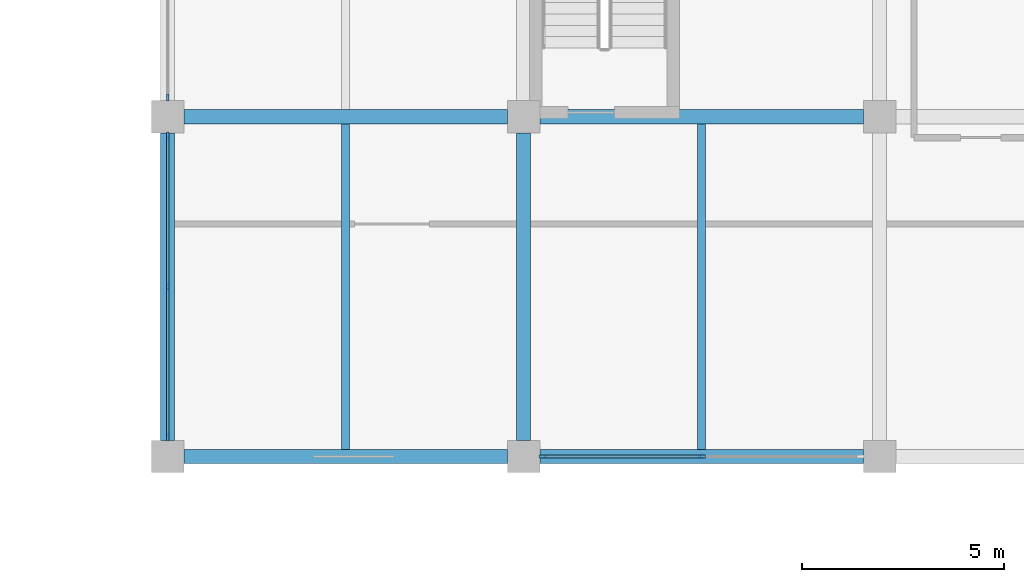
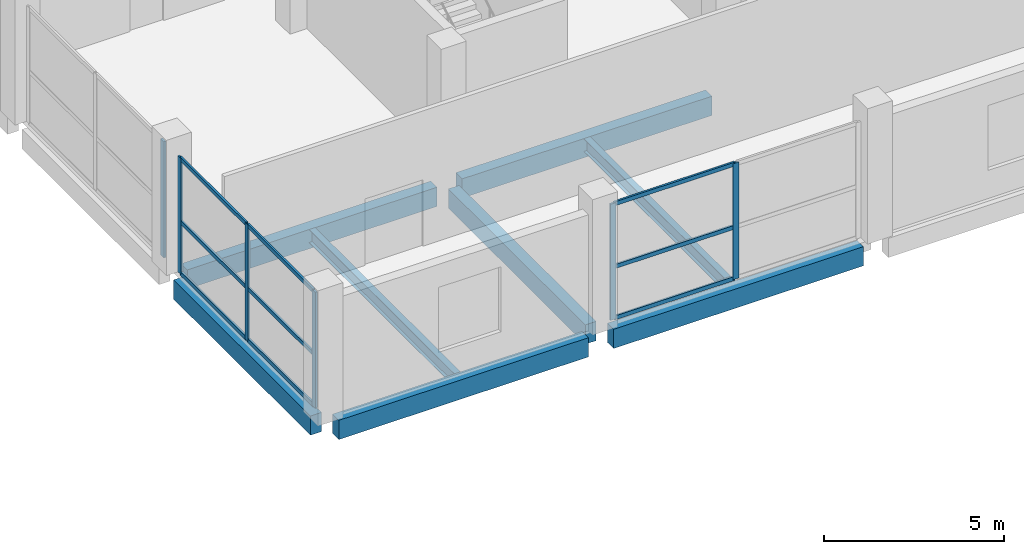
# One storey, part 5 of 31: 15 members, 8 beams, 3 elements without a shape of their own.
"""IFC4 building model written with IfcOpenShell, lengths in metres."""

from ifc_helpers import new_model, si_unit, direction, frame, origin, origin_2d, place, context, subcontext, project, spatial, rectangle, i_section, extrude, material, material_profile, profile_set, type_object, element, aggregate, save


model = new_model("IFC4")

# Units and contexts
model_context = context("Model", 3, precision=1e-05, world=origin(), true_north=direction((0.0, 1.0)))
body_context = subcontext(model_context, "Body", "Model", "MODEL_VIEW")
ifc_project = project(units=[si_unit("LENGTHUNIT", "METRE"), si_unit("AREAUNIT", "SQUARE_METRE"), si_unit("VOLUMEUNIT", "CUBIC_METRE"), si_unit("PLANEANGLEUNIT", "RADIAN"), si_unit("MASSUNIT", "GRAM", prefix="KILO")], contexts=[model_context])

# Site, building, storey
site_placement = place(None, origin())
site = spatial("IfcSite", under=ifc_project, at=site_placement, CompositionType="ELEMENT")
building_placement = place(site_placement, origin())
building = spatial("IfcBuilding", under=site, at=building_placement, Name="Brinegate Botanical Conservatory", CompositionType="ELEMENT")
storey_placement = place(building_placement, frame((0.0, 0.0, 5.39990234375)))
storey = spatial("IfcBuildingStorey", under=building, at=storey_placement, Name="L02", CompositionType="ELEMENT", Elevation=5.39990234375)

# Beams
ifc_material_1 = material(Name="Concrete C40/50", Category="concrete")
ifc_material_profile_1 = material_profile(ifc_material_1, rectangle(XDim=0.35009765625, YDim=0.64990234375, at=origin_2d()), Name="RC BM 350x650")
ifc_profile_set_1 = profile_set([ifc_material_profile_1], Name="Concrete C40/50")
beam_type_1 = type_object("IfcBeamType", Name="Beam_BM-V3", PredefinedType="BEAM", material=ifc_profile_set_1)
for number, where, z_axis, x_axis, name in (
    (1, (51.199951171875, 86.800048828125, -0.544921875), (1.0, 0.0, 0.0), (0.0, 1.0, 0.0), "Beam BM-V3 L02 L:7-8"),
    (2, (60.0, 86.800048828125, -0.544921875), (1.0, 0.0, 0.0), (0.0, 1.0, 0.0), "Beam BM-V3 L02 L:8-9"),
    (3, (51.199951171875, 95.199951171875, -0.544921875), (1.0, 0.0, 0.0), (0.0, 1.0, 0.0), "Beam BM-V3 L02 M:7-8"),
    (4, (60.0, 95.199951171875, -0.544921875), (1.0, 0.0, 0.0), (0.0, 1.0, 0.0), "Beam BM-V3 L02 M:8-9"),
):
    element("IfcBeam", number, at=place(storey_placement, frame(where, z_axis=z_axis, x_axis=x_axis)), inside=storey, type_object=beam_type_1, Name=name, PredefinedType="BEAM", context=body_context, shape_type="SweptSolid", body=[
        extrude(rectangle(XDim=0.35009765625, YDim=0.64990234375, at=origin_2d()), origin(), (0.0, 0.0, 1.0), 8.0),
    ])
for number, where, z_axis, x_axis, name in (
    (5, (50.800048828125, 87.199951171875, -0.544921875), (0.0, 1.0, 0.0), (-1.0, 0.0, 0.0), "Beam BM-V3 L02 7:L-M"),
    (6, (59.60009765625, 87.199951171875, -0.544921875), (0.0, 1.0, 0.0), (-1.0, 0.0, 0.0), "Beam BM-V3 L02 8:L-M"),
):
    element("IfcBeam", number, at=place(storey_placement, frame(where, z_axis=z_axis, x_axis=x_axis)), inside=storey, type_object=beam_type_1, Name=name, PredefinedType="BEAM", context=body_context, shape_type="SweptSolid", body=[
        extrude(rectangle(XDim=0.35009765625, YDim=0.64990234375, at=origin_2d()), origin(), (0.0, 0.0, 1.0), 7.60009765625),
    ])
ifc_material_2 = material(Name="Structural steel Q355B / S355", Category="steel")
ifc_material_profile_2 = material_profile(ifc_material_2, i_section(OverallWidth=0.199951171875, OverallDepth=0.449951171875, WebThickness=0.009033203125, FlangeThickness=0.013916015625, at=origin_2d()), Name="HN 450x200x9x14")
ifc_profile_set_2 = profile_set([ifc_material_profile_2], Name="Structural steel Q355B / S355")
beam_type_2 = type_object("IfcBeamType", Name="Beam_JS-S1", PredefinedType="JOIST", material=ifc_profile_set_2)
for number, where, z_axis, x_axis, name in (
    (7, (55.199951171875, 86.97509765625, -0.44482421875), (0.0, 1.0, 0.0), (-1.0, 0.0, 0.0), "Floor joist JS-S1 L02 bay 7.11"),
    (8, (64.0, 86.97509765625, -0.44482421875), (0.0, 1.0, 0.0), (-1.0, 0.0, 0.0), "Floor joist JS-S1 L02 bay 8.11"),
):
    element("IfcBeam", number, at=place(storey_placement, frame(where, z_axis=z_axis, x_axis=x_axis)), inside=storey, type_object=beam_type_2, Name=name, PredefinedType="JOIST", context=body_context, shape_type="SweptSolid", body=[
        extrude(i_section(OverallWidth=0.199951171875, OverallDepth=0.449951171875, WebThickness=0.009033203125, FlangeThickness=0.013916015625, at=origin_2d()), origin(), (0.0, 0.0, 1.0), 8.0498046875),
    ])

# Curtain wall, members
ifc_material_3 = material(Name="Thermally broken anodised aluminium AW-6063-T6", Category="aluminium")
curtain_wall_type = type_object("IfcCurtainWallType", Name="CW_CW-V3", PredefinedType="USERDEFINED", material=ifc_material_3)
curtain_wall_1_placement = place(storey_placement, origin())
curtain_wall_1 = element("IfcCurtainWall", 9, at=curtain_wall_1_placement, inside=storey, type_object=curtain_wall_type, Name="Visitor south court curtain wall L02.2", ObjectType="FACTORY CURTAIN WALL", PredefinedType="USERDEFINED")
ifc_material_profile_3 = material_profile(ifc_material_3, rectangle(XDim=0.06494140625, YDim=0.179931640625, at=origin_2d()), Name="ALUM MULLION 65x180")
ifc_profile_set_3 = profile_set([ifc_material_profile_3], Name="Thermally broken anodised aluminium AW-6063-T6")
member_type_1 = type_object("IfcMemberType", Name="Member_ML-02", PredefinedType="MULLION", material=ifc_profile_set_3)
member_1_placement = place(storey_placement, frame((64.0, 86.800048828125, 0.0), z_axis=(0.0, 0.0, 1.0), x_axis=(0.0, -1.0, 0.0)))
member_1 = element("IfcMember", 10, at=member_1_placement, type_object=member_type_1, Name="CW-V3 mullion 2", PredefinedType="MULLION", context=body_context, shape_type="SweptSolid", body=[
    extrude(rectangle(XDim=0.06494140625, YDim=0.179931640625, at=origin_2d()), origin(), (0.0, 0.0, 1.0), 3.93017578125),
])
member_2_placement = place(storey_placement, frame((60.072509765625, 86.800048828125, 0.0), z_axis=(0.0, 0.0, 1.0), x_axis=(0.0, -1.0, 0.0)))
member_2 = element("IfcMember", 11, at=member_2_placement, type_object=member_type_1, Name="CW-V3 mullion 3", PredefinedType="MULLION", context=body_context, shape_type="SweptSolid", body=[
    extrude(rectangle(XDim=0.06494140625, YDim=0.179931640625, at=origin_2d()), origin(), (0.0, 0.0, 1.0), 3.93017578125),
])

curtain_wall_2_placement = place(storey_placement, origin())
curtain_wall_2 = element("IfcCurtainWall", 12, at=curtain_wall_2_placement, inside=storey, type_object=curtain_wall_type, Name="Visitor west forecourt curtain wall L02.1", ObjectType="FACTORY CURTAIN WALL", PredefinedType="USERDEFINED")
member_3_placement = place(storey_placement, frame((50.800048828125, 87.2724609375, 0.0), z_axis=(0.0, 0.0, 1.0), x_axis=(-1.0, 0.0, 0.0)))
member_3 = element("IfcMember", 13, at=member_3_placement, type_object=member_type_1, Name="CW-V3 mullion 1", PredefinedType="MULLION", context=body_context, shape_type="SweptSolid", body=[
    extrude(rectangle(XDim=0.06494140625, YDim=0.179931640625, at=origin_2d()), origin(), (0.0, 0.0, 1.0), 3.93017578125),
])
member_4_placement = place(storey_placement, frame((50.800048828125, 91.0, 0.0), z_axis=(0.0, 0.0, 1.0), x_axis=(-1.0, 0.0, 0.0)))
member_4 = element("IfcMember", 14, at=member_4_placement, type_object=member_type_1, Name="CW-V3 mullion 2", PredefinedType="MULLION", context=body_context, shape_type="SweptSolid", body=[
    extrude(rectangle(XDim=0.06494140625, YDim=0.179931640625, at=origin_2d()), origin(), (0.0, 0.0, 1.0), 3.93017578125),
])
member_5_placement = place(storey_placement, frame((50.800048828125, 94.7275390625, 0.0), z_axis=(0.0, 0.0, 1.0), x_axis=(-1.0, 0.0, 0.0)))
member_5 = element("IfcMember", 15, at=member_5_placement, type_object=member_type_1, Name="CW-V3 mullion 3", PredefinedType="MULLION", context=body_context, shape_type="SweptSolid", body=[
    extrude(rectangle(XDim=0.06494140625, YDim=0.179931640625, at=origin_2d()), origin(), (0.0, 0.0, 1.0), 3.93017578125),
])

# Curtain wall, member
curtain_wall_3_placement = place(storey_placement, origin())
curtain_wall_3 = element("IfcCurtainWall", 16, at=curtain_wall_3_placement, inside=storey, type_object=curtain_wall_type, Name="Visitor west forecourt curtain wall L02.2", ObjectType="FACTORY CURTAIN WALL", PredefinedType="USERDEFINED")
member_6_placement = place(storey_placement, frame((50.800048828125, 95.672607421875, 0.0), z_axis=(0.0, 0.0, 1.0), x_axis=(-1.0, 0.0, 0.0)))
member_6 = element("IfcMember", 17, at=member_6_placement, type_object=member_type_1, Name="CW-V3 mullion 1", PredefinedType="MULLION", context=body_context, shape_type="SweptSolid", body=[
    extrude(rectangle(XDim=0.06494140625, YDim=0.179931640625, at=origin_2d()), origin(), (0.0, 0.0, 1.0), 3.93017578125),
])
aggregate(curtain_wall_3, [member_6])

# Member
ifc_material_profile_4 = material_profile(ifc_material_3, rectangle(XDim=0.06494140625, YDim=0.135009765625, at=origin_2d()), Name="ALUM TRANSOM 65x135")
ifc_profile_set_4 = profile_set([ifc_material_profile_4], Name="Thermally broken anodised aluminium AW-6063-T6")
member_type_2 = type_object("IfcMemberType", Name="Member_TR-02", PredefinedType="USERDEFINED", material=ifc_profile_set_4)
member_7_placement = place(storey_placement, frame((63.967529296875, 86.800048828125, 0.03271484375), z_axis=(-1.0, 0.0, 0.0), x_axis=(0.0, -1.0, 0.0)))
member_7 = element("IfcMember", 18, at=member_7_placement, type_object=member_type_2, Name="CW-V3 transom 2.1", ObjectType="TRANSOM", PredefinedType="USERDEFINED", context=body_context, shape_type="SweptSolid", body=[
    extrude(rectangle(XDim=0.06494140625, YDim=0.135009765625, at=origin_2d()), origin(), (0.0, 0.0, 1.0), 3.862548828125),
])

member_8_placement = place(storey_placement, frame((63.967529296875, 86.800048828125, 1.76806640625), z_axis=(-1.0, 0.0, 0.0), x_axis=(0.0, -1.0, 0.0)))
member_8 = element("IfcMember", 19, at=member_8_placement, type_object=member_type_2, Name="CW-V3 transom 2.2", ObjectType="TRANSOM", PredefinedType="USERDEFINED", context=body_context, shape_type="SweptSolid", body=[
    extrude(rectangle(XDim=0.06494140625, YDim=0.135009765625, at=origin_2d()), origin(), (0.0, 0.0, 1.0), 3.862548828125),
])

member_9_placement = place(storey_placement, frame((63.967529296875, 86.800048828125, 3.897705078125), z_axis=(-1.0, 0.0, 0.0), x_axis=(0.0, -1.0, 0.0)))
member_9 = element("IfcMember", 20, at=member_9_placement, type_object=member_type_2, Name="CW-V3 transom 2.3", ObjectType="TRANSOM", PredefinedType="USERDEFINED", context=body_context, shape_type="SweptSolid", body=[
    extrude(rectangle(XDim=0.06494140625, YDim=0.135009765625, at=origin_2d()), origin(), (0.0, 0.0, 1.0), 3.862548828125),
])

aggregate(curtain_wall_1, [member_1, member_2, member_7, member_8, member_9])

member_10_placement = place(storey_placement, frame((50.800048828125, 87.304931640625, 0.03271484375), z_axis=(0.0, 1.0, 0.0), x_axis=(-1.0, 0.0, 0.0)))
member_10 = element("IfcMember", 21, at=member_10_placement, type_object=member_type_2, Name="CW-V3 transom 1.1", ObjectType="TRANSOM", PredefinedType="USERDEFINED", context=body_context, shape_type="SweptSolid", body=[
    extrude(rectangle(XDim=0.06494140625, YDim=0.135009765625, at=origin_2d()), origin(), (0.0, 0.0, 1.0), 3.66259765625),
])

member_11_placement = place(storey_placement, frame((50.800048828125, 87.304931640625, 1.76806640625), z_axis=(0.0, 1.0, 0.0), x_axis=(-1.0, 0.0, 0.0)))
member_11 = element("IfcMember", 22, at=member_11_placement, type_object=member_type_2, Name="CW-V3 transom 1.2", ObjectType="TRANSOM", PredefinedType="USERDEFINED", context=body_context, shape_type="SweptSolid", body=[
    extrude(rectangle(XDim=0.06494140625, YDim=0.135009765625, at=origin_2d()), origin(), (0.0, 0.0, 1.0), 3.66259765625),
])

member_12_placement = place(storey_placement, frame((50.800048828125, 87.304931640625, 3.897705078125), z_axis=(0.0, 1.0, 0.0), x_axis=(-1.0, 0.0, 0.0)))
member_12 = element("IfcMember", 23, at=member_12_placement, type_object=member_type_2, Name="CW-V3 transom 1.3", ObjectType="TRANSOM", PredefinedType="USERDEFINED", context=body_context, shape_type="SweptSolid", body=[
    extrude(rectangle(XDim=0.06494140625, YDim=0.135009765625, at=origin_2d()), origin(), (0.0, 0.0, 1.0), 3.66259765625),
])

member_13_placement = place(storey_placement, frame((50.800048828125, 91.032470703125, 0.03271484375), z_axis=(0.0, 1.0, 0.0), x_axis=(-1.0, 0.0, 0.0)))
member_13 = element("IfcMember", 24, at=member_13_placement, type_object=member_type_2, Name="CW-V3 transom 2.1", ObjectType="TRANSOM", PredefinedType="USERDEFINED", context=body_context, shape_type="SweptSolid", body=[
    extrude(rectangle(XDim=0.06494140625, YDim=0.135009765625, at=origin_2d()), origin(), (0.0, 0.0, 1.0), 3.66259765625),
])

member_14_placement = place(storey_placement, frame((50.800048828125, 91.032470703125, 1.76806640625), z_axis=(0.0, 1.0, 0.0), x_axis=(-1.0, 0.0, 0.0)))
member_14 = element("IfcMember", 25, at=member_14_placement, type_object=member_type_2, Name="CW-V3 transom 2.2", ObjectType="TRANSOM", PredefinedType="USERDEFINED", context=body_context, shape_type="SweptSolid", body=[
    extrude(rectangle(XDim=0.06494140625, YDim=0.135009765625, at=origin_2d()), origin(), (0.0, 0.0, 1.0), 3.66259765625),
])

member_15_placement = place(storey_placement, frame((50.800048828125, 91.032470703125, 3.897705078125), z_axis=(0.0, 1.0, 0.0), x_axis=(-1.0, 0.0, 0.0)))
member_15 = element("IfcMember", 26, at=member_15_placement, type_object=member_type_2, Name="CW-V3 transom 2.3", ObjectType="TRANSOM", PredefinedType="USERDEFINED", context=body_context, shape_type="SweptSolid", body=[
    extrude(rectangle(XDim=0.06494140625, YDim=0.135009765625, at=origin_2d()), origin(), (0.0, 0.0, 1.0), 3.66259765625),
])

aggregate(curtain_wall_2, [member_3, member_4, member_5, member_10, member_11, member_12, member_13, member_14, member_15])

save(model, "model.ifc")
